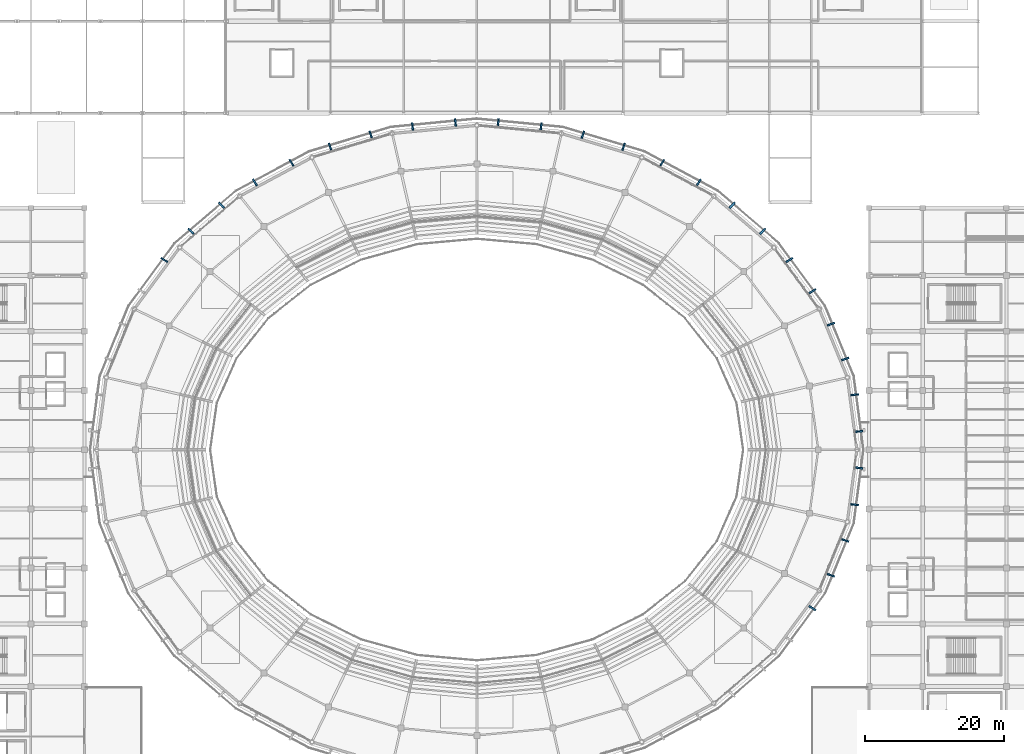
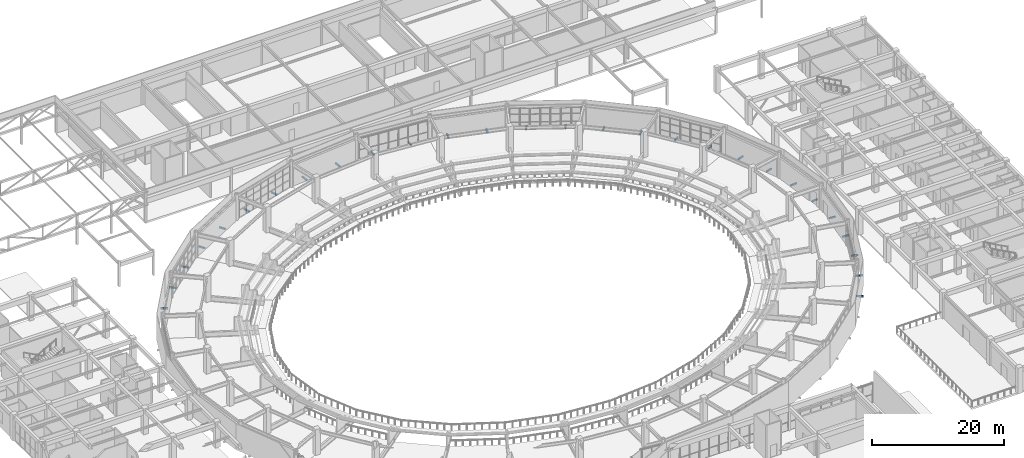
# One storey, part 110 of 122: 28 discrete accessories.
"""IFC4 building model written with IfcOpenShell, lengths in metres."""

from ifc_helpers import new_model, si_unit, direction, frame, origin, origin_2d, place, context, subcontext, project, spatial, rectangle, extrude, material, type_object, element, save


model = new_model("IFC4")

# Units and contexts
model_context = context("Model", 3, precision=1e-05, world=origin(), true_north=direction((0.0, 1.0)))
body_context = subcontext(model_context, "Body", "Model", "MODEL_VIEW")
ifc_project = project(units=[si_unit("LENGTHUNIT", "METRE"), si_unit("AREAUNIT", "SQUARE_METRE"), si_unit("VOLUMEUNIT", "CUBIC_METRE"), si_unit("PLANEANGLEUNIT", "RADIAN"), si_unit("MASSUNIT", "GRAM", prefix="KILO")], contexts=[model_context])

# Site, building, storey
site_placement = place(None, origin())
site = spatial("IfcSite", under=ifc_project, at=site_placement, CompositionType="ELEMENT")
building_placement = place(site_placement, origin())
building = spatial("IfcBuilding", under=site, at=building_placement, Name="Cuetzalor Civic Arena", CompositionType="ELEMENT")
storey_placement = place(building_placement, frame((0.0, 0.0, 16.199951171875)))
storey = spatial("IfcBuildingStorey", under=building, at=storey_placement, Name="L03", CompositionType="ELEMENT", Elevation=16.199951171875)

# Discrete accessories
ifc_material = material(Name="Steel S355", Category="steel")
discrete_accessory_type = type_object("IfcDiscreteAccessoryType", Name="ScreenOutriggerBracket_S355", PredefinedType="BRACKET", material=ifc_material)
for number, where, z_axis, x_axis, name in (
    (1, (54.235595703125, 7.8896484375, -0.27001953125), (0.0, 0.0, 1.0), (0.993709417943, 0.111989252568, 0.0), "Drum Screen Outrigger Bracket L03-0003"),
    (2, (54.928466796875, 2.6298828125, -0.27001953125), (0.0, 0.0, 1.0), (0.993709417943, 0.111989252568, 0.0), "Drum Screen Outrigger Bracket L03-0004"),
    (3, (50.822998046875, 18.013916015625, -0.27001953125), (0.0, 0.0, 1.0), (0.943858622852, 0.330349663339, 0.0), "Drum Screen Outrigger Bracket L03-0014"),
    (4, (52.8671875, 13.017578125, -0.27001953125), (0.0, 0.0, 1.0), (0.943858622852, 0.330349663339, 0.0), "Drum Screen Outrigger Bracket L03-0015"),
    (5, (44.862060546875, 27.234619140625, -0.27001953125), (0.0, 0.0, 1.0), (0.846657866138, 0.532137630417, 0.0), "Drum Screen Outrigger Bracket L03-0023"),
    (6, (48.15478515625, 22.752685546875, -0.27001953125), (0.0, 0.0, 1.0), (0.846657866138, 0.532137630417, 0.0), "Drum Screen Outrigger Bracket L03-0024"),
    (7, (36.651611328125, 35.089599609375, -0.27001953125), (0.0, 0.0, 1.0), (0.707106781187, 0.707106781187, 0.0), "Drum Screen Outrigger Bracket L03-0034"),
    (8, (41.027587890625, 31.346923828125, -0.27001953125), (0.0, 0.0, 1.0), (0.707106781187, 0.707106781187, 0.0), "Drum Screen Outrigger Bracket L03-0035"),
    (9, (26.60302734375, 41.185302734375, -0.27001953125), (0.0, 0.0, 1.0), (0.531989852639, 0.84675072878, 0.0), "Drum Screen Outrigger Bracket L03-0043"),
    (10, (31.84326171875, 38.369140625, -0.27001953125), (0.0, 0.0, 1.0), (0.531989852639, 0.84675072878, 0.0), "Drum Screen Outrigger Bracket L03-0044"),
    (11, (15.220703125, 45.215576171875, -0.27001953125), (0.0, 0.0, 1.0), (0.330184923902, 0.943916265369, 0.0), "Drum Screen Outrigger Bracket L03-0054"),
    (12, (21.06201171875, 43.46728515625, -0.27001953125), (0.0, 0.0, 1.0), (0.330184923902, 0.943916265369, 0.0), "Drum Screen Outrigger Bracket L03-0055"),
    (13, (3.074951171875, 46.978759765625, -0.27001953125), (0.0, 0.0, 1.0), (0.111989252568, 0.993709417943, 0.0), "Drum Screen Outrigger Bracket L03-0063"),
    (14, (9.224853515625, 46.385986328125, -0.27001953125), (0.0, 0.0, 1.0), (0.111989252568, 0.993709417943, 0.0), "Drum Screen Outrigger Bracket L03-0064"),
    (15, (-9.224853515625, 46.385986328125, -0.27001953125), (0.0, 0.0, 1.0), (-0.111989252568, 0.993709417943, 0.0), "Drum Screen Outrigger Bracket L03-0074"),
    (16, (-3.074951171875, 46.978759765625, -0.27001953125), (0.0, 0.0, 1.0), (-0.111989252568, 0.993709417943, 0.0), "Drum Screen Outrigger Bracket L03-0075"),
    (17, (-21.06201171875, 43.46728515625, -0.27001953125), (0.0, 0.0, 1.0), (-0.330184923902, 0.943916265369, 0.0), "Drum Screen Outrigger Bracket L03-0083"),
    (18, (-15.220703125, 45.215576171875, -0.27001953125), (0.0, 0.0, 1.0), (-0.330184923902, 0.943916265369, 0.0), "Drum Screen Outrigger Bracket L03-0084"),
    (19, (-31.84326171875, 38.369140625, -0.27001953125), (0.0, 0.0, 1.0), (-0.531989852639, 0.84675072878, 0.0), "Drum Screen Outrigger Bracket L03-0094"),
    (20, (-26.60302734375, 41.185302734375, -0.27001953125), (0.0, 0.0, 1.0), (-0.531989852639, 0.84675072878, 0.0), "Drum Screen Outrigger Bracket L03-0095"),
    (21, (-41.027587890625, 31.346923828125, -0.27001953125), (0.0, 0.0, 1.0), (-0.707106781187, 0.707106781187, 0.0), "Drum Screen Outrigger Bracket L03-0103"),
    (22, (-36.651611328125, 35.089599609375, -0.27001953125), (0.0, 0.0, 1.0), (-0.707106781187, 0.707106781187, 0.0), "Drum Screen Outrigger Bracket L03-0104"),
    (23, (-44.862060546875, 27.234619140625, -0.27001953125), (0.0, 0.0, 1.0), (-0.846657866138, 0.532137630417, 0.0), "Drum Screen Outrigger Bracket L03-0115"),
    (24, (48.15478515625, -22.752685546875, -0.27001953125), (0.0, 0.0, 1.0), (0.846657866138, -0.532137630417, 0.0), "Drum Screen Outrigger Bracket L03-0254"),
    (25, (52.8671875, -13.017578125, -0.27001953125), (0.0, 0.0, 1.0), (0.943858622852, -0.330349663339, 0.0), "Drum Screen Outrigger Bracket L03-0263"),
    (26, (50.822998046875, -18.013916015625, -0.27001953125), (0.0, 0.0, 1.0), (0.943858622852, -0.330349663339, 0.0), "Drum Screen Outrigger Bracket L03-0264"),
    (27, (54.928466796875, -2.6298828125, -0.27001953125), (0.0, 0.0, 1.0), (0.993709417943, -0.111989252568, 0.0), "Drum Screen Outrigger Bracket L03-0274"),
    (28, (54.235595703125, -7.8896484375, -0.27001953125), (0.0, 0.0, 1.0), (0.993709417943, -0.111989252568, 0.0), "Drum Screen Outrigger Bracket L03-0275"),
):
    element("IfcDiscreteAccessory", number, at=place(storey_placement, frame(where, z_axis=z_axis, x_axis=x_axis)), inside=storey, type_object=discrete_accessory_type, Name=name, PredefinedType="BRACKET", context=body_context, shape_type="SweptSolid", body=[
        extrude(rectangle(XDim=1.10009765625, YDim=0.239990234375, at=origin_2d()), origin(), (0.0, 0.0, 1.0), 0.260009765625),
    ])

save(model, "model.ifc")
